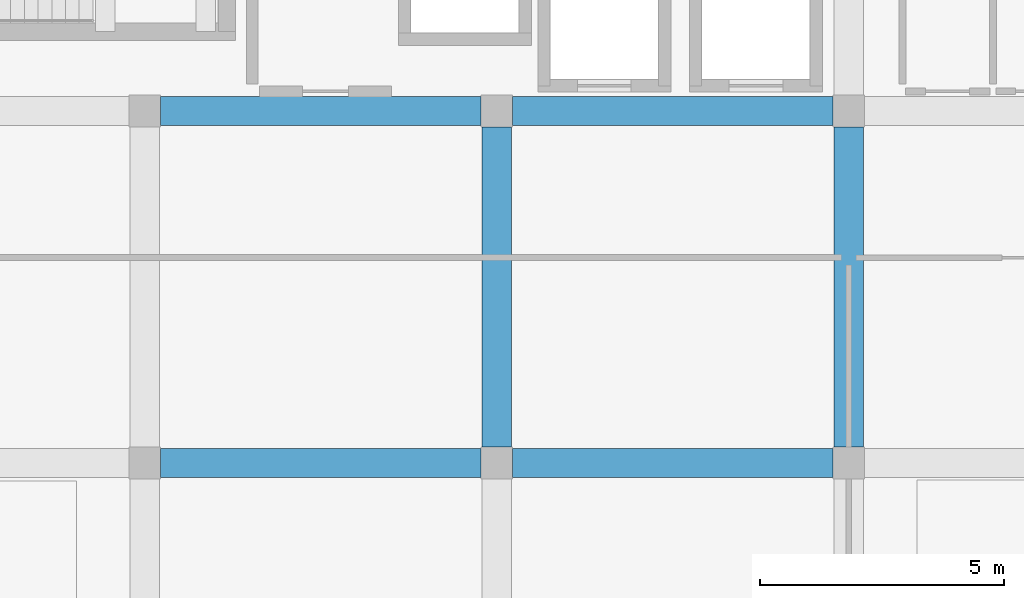
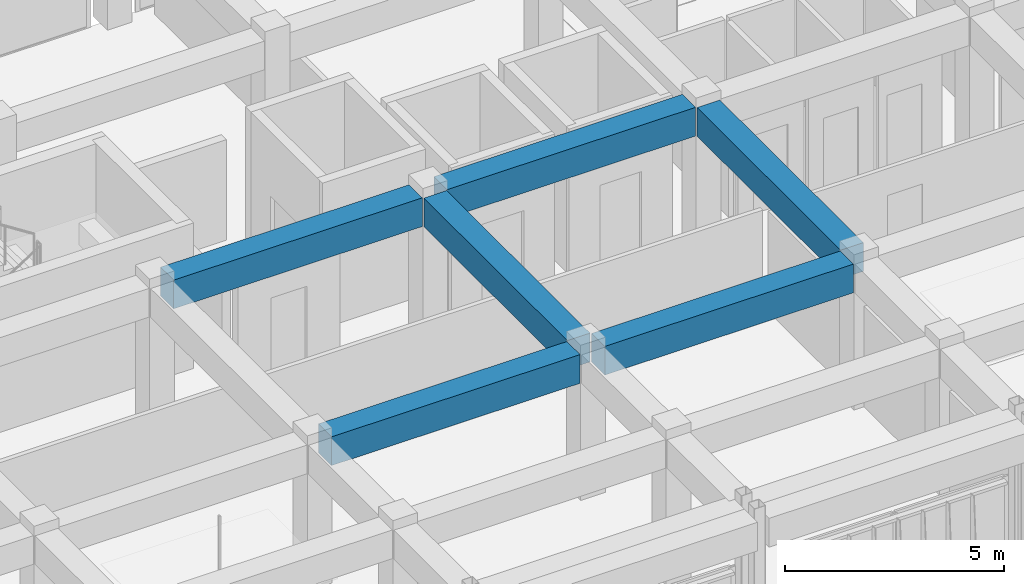
# One storey, part 9 of 53: 6 beams.
"""IFC4 building model written with IfcOpenShell, lengths in metres."""

from ifc_helpers import new_model, si_unit, direction, frame, origin, origin_2d, place, context, subcontext, project, spatial, rectangle, extrude, material, material_profile, profile_set, type_object, element, save


model = new_model("IFC4")

# Units and contexts
model_context = context("Model", 3, precision=1e-05, world=origin(), true_north=direction((0.0, 1.0)))
body_context = subcontext(model_context, "Body", "Model", "MODEL_VIEW")
ifc_project = project(units=[si_unit("LENGTHUNIT", "METRE"), si_unit("AREAUNIT", "SQUARE_METRE"), si_unit("VOLUMEUNIT", "CUBIC_METRE"), si_unit("PLANEANGLEUNIT", "RADIAN"), si_unit("MASSUNIT", "GRAM", prefix="KILO")], contexts=[model_context])

# Site, building, storey
site_placement = place(None, origin())
site = spatial("IfcSite", under=ifc_project, at=site_placement, CompositionType="ELEMENT")
building_placement = place(site_placement, origin())
building = spatial("IfcBuilding", under=site, at=building_placement, Name="Kazehaya Institute of Natural Sciences", CompositionType="ELEMENT")
storey_placement = place(building_placement, frame((0.0, 0.0, 33.300048828125)))
storey = spatial("IfcBuildingStorey", under=building, at=storey_placement, Name="L07", CompositionType="ELEMENT", Elevation=33.300048828125)

# Beams
ifc_material = material(Name="Concrete Fc36", Category="concrete")
ifc_material_profile = material_profile(ifc_material, rectangle(XDim=0.60009765625, YDim=0.800048828125, at=origin_2d()), Name="RC-600x800")
ifc_profile_set = profile_set([ifc_material_profile], Name="Concrete Fc36")
beam_type = type_object("IfcBeamType", Name="BM-G-600x800", PredefinedType="BEAM", material=ifc_profile_set)
for number, where, z_axis, x_axis, name in (
    (1, (69.324951171875, 14.0, 3.64990234375), (1.0, 0.0, 0.0), (0.0, 1.0, 0.0), "L07 primary X girder BMX-L07-690-140"),
    (2, (76.52490234375, 14.0, 3.64990234375), (1.0, 0.0, 0.0), (0.0, 1.0, 0.0), "L07 primary X girder BMX-L07-762-140"),
    (3, (69.324951171875, 21.199951171875, 3.64990234375), (1.0, 0.0, 0.0), (0.0, 1.0, 0.0), "L07 primary X girder BMX-L07-690-212"),
    (4, (76.52490234375, 21.199951171875, 3.64990234375), (1.0, 0.0, 0.0), (0.0, 1.0, 0.0), "L07 primary X girder BMX-L07-762-212"),
    (5, (76.199951171875, 14.324951171875, 3.64990234375), (0.0, 1.0, 0.0), (-1.0, 0.0, 0.0), "L07 primary Y girder BMY-L07-762-140"),
    (6, (83.39990234375, 14.324951171875, 3.64990234375), (0.0, 1.0, 0.0), (-1.0, 0.0, 0.0), "L07 primary Y girder BMY-L07-834-140"),
):
    element("IfcBeam", number, at=place(storey_placement, frame(where, z_axis=z_axis, x_axis=x_axis)), inside=storey, type_object=beam_type, Name=name, PredefinedType="BEAM", context=body_context, shape_type="SweptSolid", body=[
        extrude(rectangle(XDim=0.60009765625, YDim=0.800048828125, at=origin_2d()), origin(), (0.0, 0.0, 1.0), 6.550048828125),
    ])

save(model, "model.ifc")
